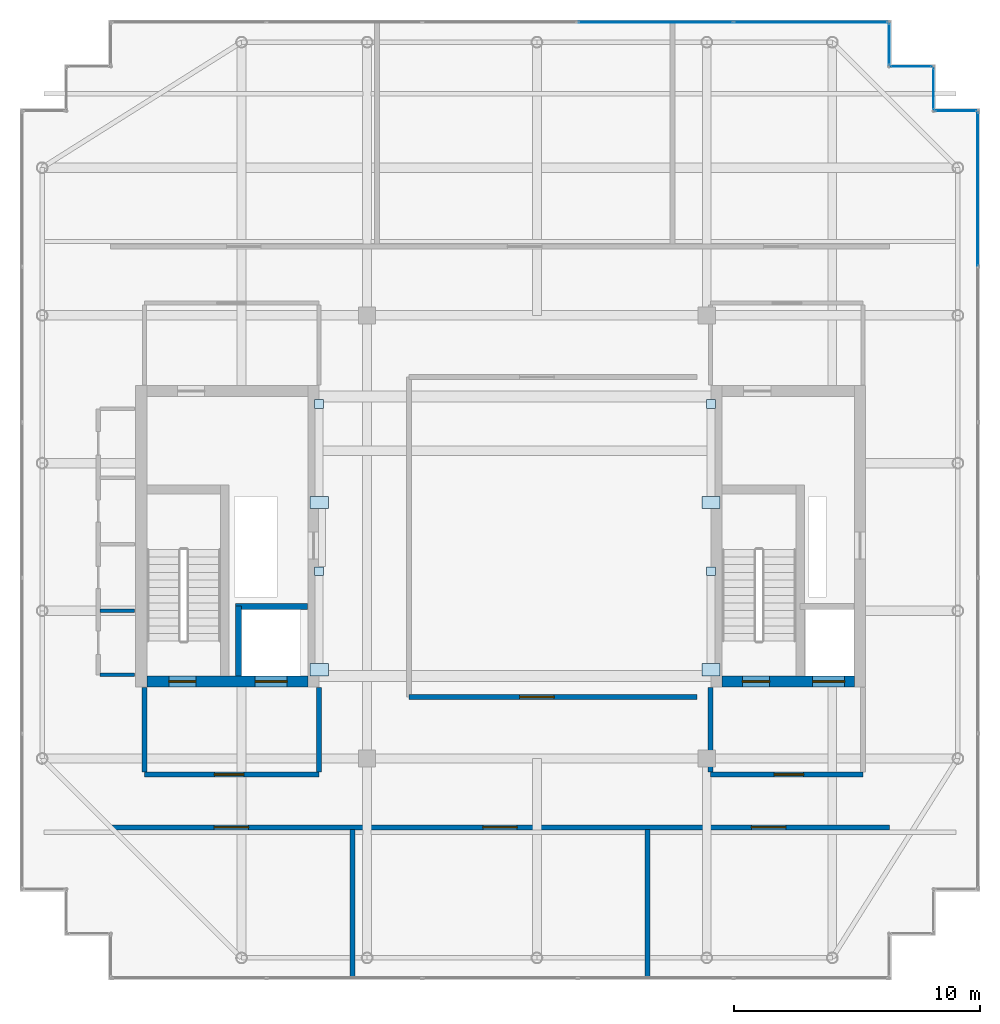
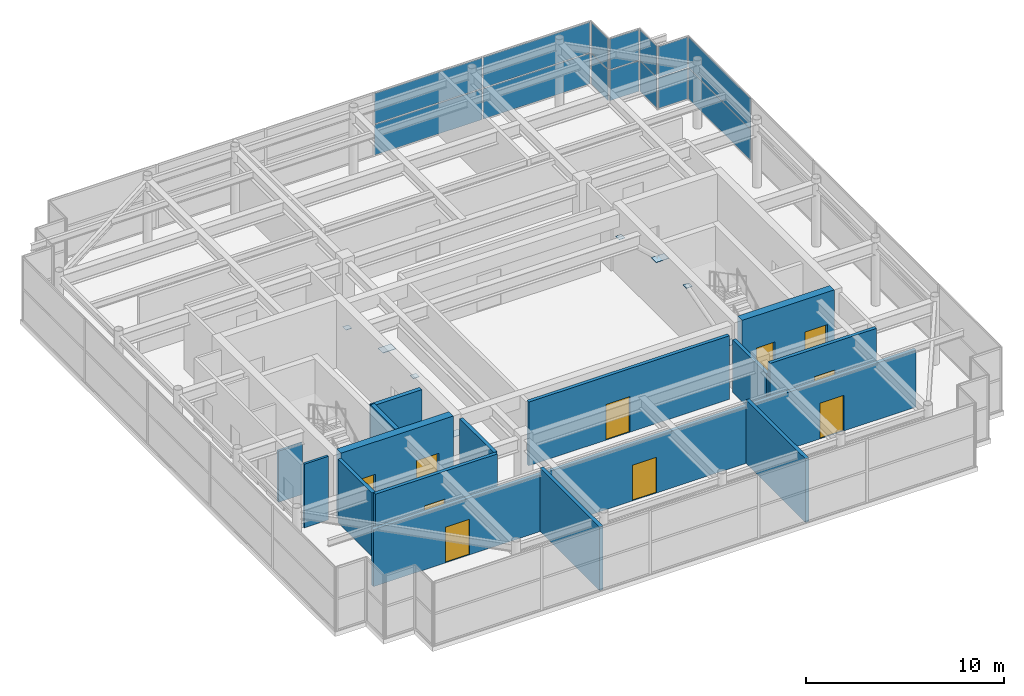
# One storey, part 30 of 33: 22 plates, 15 walls, 10 doors, 10 openings, 6 elements without a shape of their own.
"""IFC4 building model written with IfcOpenShell, lengths in metres."""

from ifc_helpers import new_model, si_unit, direction, frame, frame_2d, origin, origin_2d, place, context, subcontext, project, spatial, rectangle, extrude, source, transform, mapped, material, layer, layer_set, type_object, element, fill, aggregate, save


model = new_model("IFC4")

# Units and contexts
model_context = context("Model", 3, precision=1e-05, world=origin(), true_north=direction((0.0, 1.0)))
body_context = subcontext(model_context, "Body", "Model", "MODEL_VIEW")
ifc_project = project(units=[si_unit("LENGTHUNIT", "METRE"), si_unit("AREAUNIT", "SQUARE_METRE"), si_unit("VOLUMEUNIT", "CUBIC_METRE"), si_unit("PLANEANGLEUNIT", "RADIAN"), si_unit("MASSUNIT", "GRAM", prefix="KILO")], contexts=[model_context])

# Site, building, storey
site_placement = place(None, origin())
site = spatial("IfcSite", under=ifc_project, at=site_placement, CompositionType="ELEMENT")
building_placement = place(site_placement, origin())
building = spatial("IfcBuilding", under=site, at=building_placement, Name="Khoralis Quay Care Tower", CompositionType="ELEMENT")
storey_placement = place(building_placement, frame((0.0, 0.0, 302.10009765625)))
storey = spatial("IfcBuildingStorey", under=building, at=storey_placement, Name="L79", CompositionType="ELEMENT", Elevation=302.10009765625)

# Plates
ifc_material_1 = material(Name="Steel S355", Category="steel")
ifc_layer_1 = layer(ifc_material_1, 0.02001953125)
ifc_layer_set_1 = layer_set([ifc_layer_1], Name="Steel S355")
plate_type_1 = type_object("IfcPlateType", Name="PLT-CAP-350", PredefinedType="USERDEFINED", material=ifc_layer_set_1)
shared_shape_1 = source(origin(), body_context, "Body", "SweptSolid", [
    extrude(rectangle(XDim=0.35009765625, YDim=0.35009765625, at=origin_2d()), origin(), (0.0, 0.0, 1.0), 0.02001953125),
])
for number, where, z_axis, x_axis, name in (
    (1, (15.14794921875, 19.60009765625, 3.639892578125), (0.0, 0.0, 1.0), (1.0, 0.0, 0.0), "PLT-LNCP-L79-1"),
    (2, (15.14794921875, 26.39990234375, 2.510009765625), (0.0, 0.0, 1.0), (1.0, 0.0, 0.0), "PLT-LNCP-L79-2"),
    (3, (31.072021484375, 19.60009765625, 3.639892578125), (0.0, 0.0, 1.0), (1.0, 0.0, 0.0), "PLT-LNCP-L79-3"),
    (4, (31.072021484375, 26.39990234375, 2.510009765625), (0.0, 0.0, 1.0), (1.0, 0.0, 0.0), "PLT-LNCP-L79-4"),
):
    element("IfcPlate", number, at=place(storey_placement, frame(where, z_axis=z_axis, x_axis=x_axis)), inside=storey, type_object=plate_type_1, Name=name, ObjectType="BASE_PLATE", PredefinedType="USERDEFINED", context=body_context, shape_type="MappedRepresentation", body=[
        mapped(shared_shape_1, transform((0.0, 0.0, 0.0), scale=1.0)),
    ])
ifc_layer_2 = layer(ifc_material_1, 0.02490234375)
ifc_layer_set_2 = layer_set([ifc_layer_2], Name="Steel S355")
plate_type_2 = type_object("IfcPlateType", Name="PLT-NODE-LN1", PredefinedType="USERDEFINED", material=ifc_layer_set_2)
shared_shape_2 = source(origin(), body_context, "Body", "SweptSolid", [
    extrude(rectangle(XDim=0.75, YDim=0.5, at=origin_2d()), origin(), (0.0, 0.0, 1.0), 0.02490234375),
])
for number, where, z_axis, x_axis, name in (
    (5, (15.14794921875, 15.60009765625, 2.507568359375), (0.0, 0.0, 1.0), (1.0, 0.0, 0.0), "PLT-LN1-L79-1"),
    (6, (15.14794921875, 22.39990234375, 3.637451171875), (0.0, 0.0, 1.0), (1.0, 0.0, 0.0), "PLT-LN1-L79-2"),
    (7, (31.072021484375, 15.60009765625, 2.507568359375), (0.0, 0.0, 1.0), (1.0, 0.0, 0.0), "PLT-LN1-L79-3"),
    (8, (31.072021484375, 22.39990234375, 3.637451171875), (0.0, 0.0, 1.0), (1.0, 0.0, 0.0), "PLT-LN1-L79-4"),
):
    element("IfcPlate", number, at=place(storey_placement, frame(where, z_axis=z_axis, x_axis=x_axis)), inside=storey, type_object=plate_type_2, Name=name, ObjectType="GUSSET_PLATE", PredefinedType="USERDEFINED", context=body_context, shape_type="MappedRepresentation", body=[
        mapped(shared_shape_2, transform((0.0, 0.0, 0.0), scale=1.0)),
    ])

# Curtain wall, plates
ifc_material_2 = material(Name="Pale anodised aluminium", Category="aluminium")
ifc_layer_3 = layer(ifc_material_2, 0.199951171875)
ifc_layer_set_3 = layer_set([ifc_layer_3], Name="Pale anodised aluminium")
curtain_wall_type = type_object("IfcCurtainWallType", Name="CW-SYS-LANTERN", PredefinedType="NOTDEFINED", material=ifc_layer_set_3)
curtain_wall_1_placement = place(storey_placement, origin())
curtain_wall_1 = element("IfcCurtainWall", 9, at=curtain_wall_1_placement, inside=storey, type_object=curtain_wall_type, Name="L79 Unitised Curtain Wall CW-LN-L79-06", PredefinedType="NOTDEFINED")
ifc_material_3 = material(Name="Low-iron clear lantern glazing", Category="glass")
ifc_layer_4 = layer(ifc_material_3, 0.035888671875)
ifc_layer_set_4 = layer_set([ifc_layer_4], Name="Low-iron clear lantern glazing")
plate_type_3 = type_object("IfcPlateType", Name="PNL-LNT-36", PredefinedType="CURTAIN_PANEL", material=ifc_layer_set_4)
shared_shape_3 = source(origin(), body_context, "Body", "SweptSolid", [
    extrude(rectangle(XDim=6.23388671875, YDim=0.028076171875, at=origin_2d()), origin(), (0.0, 0.0, 1.0), 1.8701171875),
])
plate_1_placement = place(storey_placement, frame((41.909912109375, 35.133056640625, 0.059814453125), z_axis=(0.0, 0.0, 1.0), x_axis=(0.0, 1.0, 0.0)))
plate_1 = element("IfcPlate", 10, at=plate_1_placement, type_object=plate_type_3, Name="CW5 panel 5.1", PredefinedType="CURTAIN_PANEL", context=body_context, shape_type="MappedRepresentation", body=[
    mapped(shared_shape_3, transform((0.0, 0.0, 0.0), scale=1.0)),
])
plate_2_placement = place(storey_placement, frame((41.909912109375, 35.133056640625, 1.98974609375), z_axis=(0.0, 0.0, 1.0), x_axis=(0.0, 1.0, 0.0)))
plate_2 = element("IfcPlate", 11, at=plate_2_placement, type_object=plate_type_3, Name="CW5 panel 5.2", PredefinedType="CURTAIN_PANEL", context=body_context, shape_type="MappedRepresentation", body=[
    mapped(shared_shape_3, transform((0.0, 0.0, 0.0), scale=1.0)),
])
aggregate(curtain_wall_1, [plate_1, plate_2])

curtain_wall_2_placement = place(storey_placement, origin())
curtain_wall_2 = element("IfcCurtainWall", 12, at=curtain_wall_2_placement, inside=storey, type_object=curtain_wall_type, Name="L79 Unitised Curtain Wall CW-LN-L79-11", PredefinedType="NOTDEFINED")
plate_3_placement = place(storey_placement, frame((35.133056640625, 41.909912109375, 0.059814453125), z_axis=(0.0, 0.0, 1.0), x_axis=(-1.0, 0.0, 0.0)))
plate_3 = element("IfcPlate", 13, at=plate_3_placement, type_object=plate_type_3, Name="CW5 panel 1.1", PredefinedType="CURTAIN_PANEL", context=body_context, shape_type="MappedRepresentation", body=[
    mapped(shared_shape_3, transform((0.0, 0.0, 0.0), scale=1.0)),
])
plate_4_placement = place(storey_placement, frame((35.133056640625, 41.909912109375, 1.98974609375), z_axis=(0.0, 0.0, 1.0), x_axis=(-1.0, 0.0, 0.0)))
plate_4 = element("IfcPlate", 14, at=plate_4_placement, type_object=plate_type_3, Name="CW5 panel 1.2", PredefinedType="CURTAIN_PANEL", context=body_context, shape_type="MappedRepresentation", body=[
    mapped(shared_shape_3, transform((0.0, 0.0, 0.0), scale=1.0)),
])
shared_shape_4 = source(origin(), body_context, "Body", "SweptSolid", [
    extrude(rectangle(XDim=6.263916015625, YDim=0.028076171875, at=origin_2d()), origin(), (0.0, 0.0, 1.0), 1.8701171875),
])
plate_5_placement = place(storey_placement, frame((28.823974609375, 41.909912109375, 0.059814453125), z_axis=(0.0, 0.0, 1.0), x_axis=(-1.0, 0.0, 0.0)))
plate_5 = element("IfcPlate", 15, at=plate_5_placement, type_object=plate_type_3, Name="CW5 panel 2.1", PredefinedType="CURTAIN_PANEL", context=body_context, shape_type="MappedRepresentation", body=[
    mapped(shared_shape_4, transform((0.0, 0.0, 0.0), scale=1.0)),
])
plate_6_placement = place(storey_placement, frame((28.823974609375, 41.909912109375, 1.98974609375), z_axis=(0.0, 0.0, 1.0), x_axis=(-1.0, 0.0, 0.0)))
plate_6 = element("IfcPlate", 16, at=plate_6_placement, type_object=plate_type_3, Name="CW5 panel 2.2", PredefinedType="CURTAIN_PANEL", context=body_context, shape_type="MappedRepresentation", body=[
    mapped(shared_shape_4, transform((0.0, 0.0, 0.0), scale=1.0)),
])
aggregate(curtain_wall_2, [plate_3, plate_4, plate_5, plate_6])

curtain_wall_3_placement = place(storey_placement, origin())
curtain_wall_3 = element("IfcCurtainWall", 17, at=curtain_wall_3_placement, inside=storey, type_object=curtain_wall_type, Name="L79 Unitised Curtain Wall CW-LN-L79-07", PredefinedType="NOTDEFINED")
shared_shape_5 = source(origin(), body_context, "Body", "SweptSolid", [
    extrude(rectangle(XDim=1.679931640625, YDim=0.028076171875, at=origin_2d()), origin(), (0.0, 0.0, 1.0), 1.8701171875),
])
plate_7_placement = place(storey_placement, frame((41.010009765625, 38.31005859375, 0.059814453125), z_axis=(0.0, 0.0, 1.0), x_axis=(-1.0, 0.0, 0.0)))
plate_7 = element("IfcPlate", 18, at=plate_7_placement, type_object=plate_type_3, Name="CW5 panel 1.1", PredefinedType="CURTAIN_PANEL", context=body_context, shape_type="MappedRepresentation", body=[
    mapped(shared_shape_5, transform((0.0, 0.0, 0.0), scale=1.0)),
])
plate_8_placement = place(storey_placement, frame((41.010009765625, 38.31005859375, 1.98974609375), z_axis=(0.0, 0.0, 1.0), x_axis=(-1.0, 0.0, 0.0)))
plate_8 = element("IfcPlate", 19, at=plate_8_placement, type_object=plate_type_3, Name="CW5 panel 1.2", PredefinedType="CURTAIN_PANEL", context=body_context, shape_type="MappedRepresentation", body=[
    mapped(shared_shape_5, transform((0.0, 0.0, 0.0), scale=1.0)),
])
aggregate(curtain_wall_3, [plate_7, plate_8])

curtain_wall_4_placement = place(storey_placement, origin())
curtain_wall_4 = element("IfcCurtainWall", 20, at=curtain_wall_4_placement, inside=storey, type_object=curtain_wall_type, Name="L79 Unitised Curtain Wall CW-LN-L79-08", PredefinedType="NOTDEFINED")
plate_9_placement = place(storey_placement, frame((40.110107421875, 39.2099609375, 0.059814453125), z_axis=(0.0, 0.0, 1.0), x_axis=(0.0, 1.0, 0.0)))
plate_9 = element("IfcPlate", 21, at=plate_9_placement, type_object=plate_type_3, Name="CW5 panel 1.1", PredefinedType="CURTAIN_PANEL", context=body_context, shape_type="MappedRepresentation", body=[
    mapped(shared_shape_5, transform((0.0, 0.0, 0.0), scale=1.0)),
])
plate_10_placement = place(storey_placement, frame((40.110107421875, 39.2099609375, 1.98974609375), z_axis=(0.0, 0.0, 1.0), x_axis=(0.0, 1.0, 0.0)))
plate_10 = element("IfcPlate", 22, at=plate_10_placement, type_object=plate_type_3, Name="CW5 panel 1.2", PredefinedType="CURTAIN_PANEL", context=body_context, shape_type="MappedRepresentation", body=[
    mapped(shared_shape_5, transform((0.0, 0.0, 0.0), scale=1.0)),
])
aggregate(curtain_wall_4, [plate_9, plate_10])

curtain_wall_5_placement = place(storey_placement, origin())
curtain_wall_5 = element("IfcCurtainWall", 23, at=curtain_wall_5_placement, inside=storey, type_object=curtain_wall_type, Name="L79 Unitised Curtain Wall CW-LN-L79-09", PredefinedType="NOTDEFINED")
plate_11_placement = place(storey_placement, frame((39.2099609375, 40.110107421875, 0.059814453125), z_axis=(0.0, 0.0, 1.0), x_axis=(-1.0, 0.0, 0.0)))
plate_11 = element("IfcPlate", 24, at=plate_11_placement, type_object=plate_type_3, Name="CW5 panel 1.1", PredefinedType="CURTAIN_PANEL", context=body_context, shape_type="MappedRepresentation", body=[
    mapped(shared_shape_5, transform((0.0, 0.0, 0.0), scale=1.0)),
])
plate_12_placement = place(storey_placement, frame((39.2099609375, 40.110107421875, 1.98974609375), z_axis=(0.0, 0.0, 1.0), x_axis=(-1.0, 0.0, 0.0)))
plate_12 = element("IfcPlate", 25, at=plate_12_placement, type_object=plate_type_3, Name="CW5 panel 1.2", PredefinedType="CURTAIN_PANEL", context=body_context, shape_type="MappedRepresentation", body=[
    mapped(shared_shape_5, transform((0.0, 0.0, 0.0), scale=1.0)),
])
aggregate(curtain_wall_5, [plate_11, plate_12])

curtain_wall_6_placement = place(storey_placement, origin())
curtain_wall_6 = element("IfcCurtainWall", 26, at=curtain_wall_6_placement, inside=storey, type_object=curtain_wall_type, Name="L79 Unitised Curtain Wall CW-LN-L79-10", PredefinedType="NOTDEFINED")
plate_13_placement = place(storey_placement, frame((38.31005859375, 41.010009765625, 0.059814453125), z_axis=(0.0, 0.0, 1.0), x_axis=(0.0, 1.0, 0.0)))
plate_13 = element("IfcPlate", 27, at=plate_13_placement, type_object=plate_type_3, Name="CW5 panel 1.1", PredefinedType="CURTAIN_PANEL", context=body_context, shape_type="MappedRepresentation", body=[
    mapped(shared_shape_5, transform((0.0, 0.0, 0.0), scale=1.0)),
])
plate_14_placement = place(storey_placement, frame((38.31005859375, 41.010009765625, 1.98974609375), z_axis=(0.0, 0.0, 1.0), x_axis=(0.0, 1.0, 0.0)))
plate_14 = element("IfcPlate", 28, at=plate_14_placement, type_object=plate_type_3, Name="CW5 panel 1.2", PredefinedType="CURTAIN_PANEL", context=body_context, shape_type="MappedRepresentation", body=[
    mapped(shared_shape_5, transform((0.0, 0.0, 0.0), scale=1.0)),
])
aggregate(curtain_wall_6, [plate_13, plate_14])

# Wall, opening, door
ifc_material_4 = material(Name="Gypsum plasterboard on acoustic metal stud")
ifc_layer_5 = layer(ifc_material_4, 0.199951171875)
ifc_layer_set_5 = layer_set([ifc_layer_5], Name="Gypsum plasterboard on acoustic metal stud")
wall_type_1 = type_object("IfcWallType", Name="WL-COMP-200", PredefinedType="PARTITIONING", material=ifc_layer_set_5)
wall_1_placement = place(storey_placement, frame((8.050048828125, 11.35009765625, 0.0), z_axis=(0.0, 0.0, 1.0), x_axis=(1.0, 0.0, 0.0)))
wall_1 = element("IfcWall", 29, at=wall_1_placement, inside=storey, type_object=wall_type_1, Name="L79 West Firefighting Lobby South Wall", PredefinedType="PARTITIONING", context=body_context, shape_type="SweptSolid", body=[
    extrude(rectangle(XDim=7.099853515625, YDim=0.199951171875, at=frame_2d((3.5498046875, 0.0))), origin(), (0.0, 0.0, 1.0), 3.919921875),
])
opening_1_placement = place(wall_1_placement, frame((2.846435546875, 0.0, 0.0)))
opening_1 = element("IfcOpeningElement", 30, at=opening_1_placement, cuts=wall_1, Name="Opening FD1", PredefinedType="OPENING", context=body_context, shape_type="SweptSolid", body=[
    extrude(rectangle(XDim=1.199951171875, YDim=2.199951171875, at=frame_2d((0.60009765625, 1.10009765625))), frame((0.0, 0.10986328125, 0.0), z_axis=(0.0, -1.0, 0.0), x_axis=(1.0, 0.0, 0.0)), (0.0, 0.0, 1.0), 0.219970703125),
])
ifc_material_5 = material(Name="Fire-rated painted steel", Category="steel")
door_type_1 = type_object("IfcDoorType", Name="DR-FFL-1200X2200", OperationType="NOTDEFINED", PredefinedType="DOOR", material=ifc_material_5)
shared_shape_6 = source(origin(), body_context, "Body", "SweptSolid", [
    extrude(rectangle(XDim=1.199951171875, YDim=2.199951171875, at=frame_2d((0.60009765625, 1.10009765625))), frame((0.0, 0.02490234375, 0.0), z_axis=(0.0, -1.0, 0.0), x_axis=(1.0, 0.0, 0.0)), (0.0, 0.0, 1.0), 0.050048828125),
])
door_1_placement = place(opening_1_placement, origin())
door_1 = element("IfcDoor", 31, at=door_1_placement, inside=storey, type_object=door_type_1, Name="L79 West Firefighting Lobby Fire Door", OperationType="SINGLE_SWING_LEFT", OverallHeight=2.199951171875, OverallWidth=1.199951171875, PredefinedType="DOOR", context=body_context, shape_type="MappedRepresentation", body=[
    mapped(shared_shape_6, transform((0.0, 0.0, 0.0), scale=1.0)),
])
fill(opening_1, door_1)

# Walls
for number, where, z_axis, x_axis, name in (
    (32, (8.050048828125, 11.445068359375, 0.0), (0.0, 0.0, 1.0), (0.0, 1.0, 0.0), "L79 West Firefighting Lobby West Wall"),
    (33, (15.14990234375, 11.445068359375, 0.0), (0.0, 0.0, 1.0), (0.0, 1.0, 0.0), "L79 West Firefighting Lobby East Wall"),
):
    element("IfcWall", number, at=place(storey_placement, frame(where, z_axis=z_axis, x_axis=x_axis)), inside=storey, type_object=wall_type_1, Name=name, PredefinedType="PARTITIONING", context=body_context, shape_type="SweptSolid", body=[
        extrude(rectangle(XDim=3.434814453125, YDim=0.199951171875, at=frame_2d((1.71728515625, 0.0))), origin(), (0.0, 0.0, 1.0), 3.919921875),
    ])

# Wall, opening, door
wall_2_placement = place(storey_placement, frame((31.050048828125, 11.35009765625, 0.0), z_axis=(0.0, 0.0, 1.0), x_axis=(1.0, 0.0, 0.0)))
wall_2 = element("IfcWall", 34, at=wall_2_placement, inside=storey, type_object=wall_type_1, Name="L79 East Firefighting Lobby South Wall", PredefinedType="PARTITIONING", context=body_context, shape_type="SweptSolid", body=[
    extrude(rectangle(XDim=6.199951171875, YDim=0.199951171875, at=frame_2d((3.10009765625, 0.0))), origin(), (0.0, 0.0, 1.0), 3.919921875),
])
opening_2_placement = place(wall_2_placement, frame((2.585693359375, 0.0, 0.0)))
opening_2 = element("IfcOpeningElement", 35, at=opening_2_placement, cuts=wall_2, Name="Opening FD1", PredefinedType="OPENING", context=body_context, shape_type="SweptSolid", body=[
    extrude(rectangle(XDim=1.199951171875, YDim=2.199951171875, at=frame_2d((0.60009765625, 1.10009765625))), frame((0.0, 0.10986328125, 0.0), z_axis=(0.0, -1.0, 0.0), x_axis=(1.0, 0.0, 0.0)), (0.0, 0.0, 1.0), 0.219970703125),
])
door_2_placement = place(opening_2_placement, origin())
door_2 = element("IfcDoor", 36, at=door_2_placement, inside=storey, type_object=door_type_1, Name="L79 East Firefighting Lobby Fire Door", OperationType="SINGLE_SWING_RIGHT", OverallHeight=2.199951171875, OverallWidth=1.199951171875, PredefinedType="DOOR", context=body_context, shape_type="MappedRepresentation", body=[
    mapped(shared_shape_6, transform((0.0, 0.0, 0.0), scale=1.0)),
])
fill(opening_2, door_2)

# Wall
wall_3_placement = place(storey_placement, frame((31.050048828125, 11.445068359375, 0.0), z_axis=(0.0, 0.0, 1.0), x_axis=(0.0, 1.0, 0.0)))
element("IfcWall", 37, at=wall_3_placement, inside=storey, type_object=wall_type_1, Name="L79 East Firefighting Lobby West Wall", PredefinedType="PARTITIONING", context=body_context, shape_type="SweptSolid", body=[
    extrude(rectangle(XDim=3.434814453125, YDim=0.199951171875, at=frame_2d((1.71728515625, 0.0))), origin(), (0.0, 0.0, 1.0), 3.224853515625),
])

# Wall, openings, doors
wall_4_placement = place(storey_placement, frame((6.679931640625, 9.199951171875, 0.0), z_axis=(0.0, 0.0, 1.0), x_axis=(1.0, 0.0, 0.0)))
wall_4 = element("IfcWall", 38, at=wall_4_placement, inside=storey, type_object=wall_type_1, Name="L79 Plant Corridor South Wall", PredefinedType="PARTITIONING", context=body_context, shape_type="SweptSolid", body=[
    extrude(rectangle(XDim=31.64013671875, YDim=0.199951171875, at=frame_2d((15.820068359375, 0.0))), origin(), (0.0, 0.0, 1.0), 3.512939453125),
])
opening_3_placement = place(wall_4_placement, frame((4.2099609375, 0.0, 0.0)))
opening_3 = element("IfcOpeningElement", 39, at=opening_3_placement, cuts=wall_4, Name="Opening PD1", PredefinedType="OPENING", context=body_context, shape_type="SweptSolid", body=[
    extrude(rectangle(XDim=1.39990234375, YDim=2.199951171875, at=frame_2d((0.699951171875, 1.10009765625))), frame((0.0, 0.10986328125, 0.0), z_axis=(0.0, -1.0, 0.0), x_axis=(1.0, 0.0, 0.0)), (0.0, 0.0, 1.0), 0.219970703125),
])
opening_4_placement = place(wall_4_placement, frame((15.1201171875, 0.0, 0.0)))
opening_4 = element("IfcOpeningElement", 40, at=opening_4_placement, cuts=wall_4, Name="Opening PD1", PredefinedType="OPENING", context=body_context, shape_type="SweptSolid", body=[
    extrude(rectangle(XDim=1.39990234375, YDim=2.199951171875, at=frame_2d((0.699951171875, 1.10009765625))), frame((0.0, 0.10986328125, 0.0), z_axis=(0.0, -1.0, 0.0), x_axis=(1.0, 0.0, 0.0)), (0.0, 0.0, 1.0), 0.219970703125),
])
opening_5_placement = place(wall_4_placement, frame((26.030029296875, 0.0, 0.0)))
opening_5 = element("IfcOpeningElement", 41, at=opening_5_placement, cuts=wall_4, Name="Opening PD1", PredefinedType="OPENING", context=body_context, shape_type="SweptSolid", body=[
    extrude(rectangle(XDim=1.39990234375, YDim=2.199951171875, at=frame_2d((0.699951171875, 1.10009765625))), frame((0.0, 0.10986328125, 0.0), z_axis=(0.0, -1.0, 0.0), x_axis=(1.0, 0.0, 0.0)), (0.0, 0.0, 1.0), 0.219970703125),
])
door_type_2 = type_object("IfcDoorType", Name="DR-PLANT-1400X2200", OperationType="NOTDEFINED", PredefinedType="DOOR", material=ifc_material_5)
shared_shape_7 = source(origin(), body_context, "Body", "SweptSolid", [
    extrude(rectangle(XDim=1.39990234375, YDim=2.199951171875, at=frame_2d((0.699951171875, 1.10009765625))), frame((0.0, 0.02490234375, 0.0), z_axis=(0.0, -1.0, 0.0), x_axis=(1.0, 0.0, 0.0)), (0.0, 0.0, 1.0), 0.050048828125),
])
door_3_placement = place(opening_3_placement, frame((1.39990234375, 0.0, 0.0), z_axis=(0.0, 0.0, 1.0), x_axis=(-1.0, 0.0, 0.0)))
door_3 = element("IfcDoor", 42, at=door_3_placement, inside=storey, type_object=door_type_2, Name="L79 District Chiller Plant Room Plant Door", OperationType="DOUBLE_DOOR_SINGLE_SWING", OverallHeight=2.199951171875, OverallWidth=1.39990234375, PredefinedType="DOOR", context=body_context, shape_type="MappedRepresentation", body=[
    mapped(shared_shape_7, transform((0.0, 0.0, 0.0), scale=1.0)),
])
fill(opening_3, door_3)
door_4_placement = place(opening_4_placement, frame((1.39990234375, 0.0, 0.0), z_axis=(0.0, 0.0, 1.0), x_axis=(-1.0, 0.0, 0.0)))
door_4 = element("IfcDoor", 43, at=door_4_placement, inside=storey, type_object=door_type_2, Name="L79 Heat Recovery Plant Room Plant Door", OperationType="DOUBLE_DOOR_SINGLE_SWING", OverallHeight=2.199951171875, OverallWidth=1.39990234375, PredefinedType="DOOR", context=body_context, shape_type="MappedRepresentation", body=[
    mapped(shared_shape_7, transform((0.0, 0.0, 0.0), scale=1.0)),
])
fill(opening_4, door_4)
door_5_placement = place(opening_5_placement, frame((1.39990234375, 0.0, 0.0), z_axis=(0.0, 0.0, 1.0), x_axis=(-1.0, 0.0, 0.0)))
door_5 = element("IfcDoor", 44, at=door_5_placement, inside=storey, type_object=door_type_2, Name="L79 Domestic Water Tank Room Plant Door", OperationType="DOUBLE_DOOR_SINGLE_SWING", OverallHeight=2.199951171875, OverallWidth=1.39990234375, PredefinedType="DOOR", context=body_context, shape_type="MappedRepresentation", body=[
    mapped(shared_shape_7, transform((0.0, 0.0, 0.0), scale=1.0)),
])
fill(opening_5, door_5)

# Wall, opening, door
wall_5_placement = place(storey_placement, frame((18.800048828125, 14.5, 0.0), z_axis=(0.0, 0.0, 1.0), x_axis=(1.0, 0.0, 0.0)))
wall_5 = element("IfcWall", 45, at=wall_5_placement, inside=storey, type_object=wall_type_1, Name="L79 Central Plant South Wall", PredefinedType="PARTITIONING", context=body_context, shape_type="SweptSolid", body=[
    extrude(rectangle(XDim=11.699951171875, YDim=0.199951171875, at=frame_2d((5.85009765625, 0.0))), origin(), (0.0, 0.0, 1.0), 3.919921875),
])
opening_6_placement = place(wall_5_placement, frame((4.5, 0.0, 0.0)))
opening_6 = element("IfcOpeningElement", 46, at=opening_6_placement, cuts=wall_5, Name="Opening PD1", PredefinedType="OPENING", context=body_context, shape_type="SweptSolid", body=[
    extrude(rectangle(XDim=1.39990234375, YDim=2.199951171875, at=frame_2d((0.699951171875, 1.10009765625))), frame((0.0, 0.10986328125, 0.0), z_axis=(0.0, -1.0, 0.0), x_axis=(1.0, 0.0, 0.0)), (0.0, 0.0, 1.0), 0.219970703125),
])
door_6_placement = place(opening_6_placement, origin())
door_6 = element("IfcDoor", 47, at=door_6_placement, inside=storey, type_object=door_type_2, Name="L79 Central Plant South Door", OperationType="DOUBLE_DOOR_SINGLE_SWING", OverallHeight=2.199951171875, OverallWidth=1.39990234375, PredefinedType="DOOR", context=body_context, shape_type="MappedRepresentation", body=[
    mapped(shared_shape_7, transform((0.0, 0.0, 0.0), scale=1.0)),
])
fill(opening_6, door_6)

# Walls
for number, where, z_axis, x_axis, name in (
    (48, (16.5, 3.0849609375, 0.0), (0.0, 0.0, 1.0), (0.0, 1.0, 0.0), "L79 South Plant Divider 1"),
    (49, (28.5, 3.0849609375, 0.0), (0.0, 0.0, 1.0), (0.0, 1.0, 0.0), "L79 South Plant Divider 2"),
):
    element("IfcWall", number, at=place(storey_placement, frame(where, z_axis=z_axis, x_axis=x_axis)), inside=storey, type_object=wall_type_1, Name=name, PredefinedType="PARTITIONING", context=body_context, shape_type="SweptSolid", body=[
        extrude(rectangle(XDim=6.02001953125, YDim=0.199951171875, at=frame_2d((3.010009765625, 0.0))), origin(), (0.0, 0.0, 1.0), 3.919921875),
    ])

# Wall, openings, doors
ifc_material_6 = material(Name="Concrete C50/60", Category="concrete")
ifc_layer_6 = layer(ifc_material_6, 0.449951171875)
ifc_layer_set_6 = layer_set([ifc_layer_6], Name="Concrete C50/60")
wall_type_2 = type_object("IfcWallType", Name="WL-CORE-450", PredefinedType="SHEAR", material=ifc_layer_set_6)
wall_6_placement = place(storey_placement, frame((8.14990234375, 15.125, 0.0), z_axis=(0.0, 0.0, 1.0), x_axis=(1.0, 0.0, 0.0)))
wall_6 = element("IfcWall", 50, at=wall_6_placement, inside=storey, type_object=wall_type_2, Name="L79 WCORE South Shear Wall", PredefinedType="SHEAR", context=body_context, shape_type="SweptSolid", body=[
    extrude(rectangle(XDim=6.550048828125, YDim=0.449951171875, at=frame_2d((3.27490234375, 0.0))), origin(), (0.0, 0.0, 1.0), 4.199951171875),
])
opening_7_placement = place(wall_6_placement, frame((0.89990234375, 0.0, 0.0)))
opening_7 = element("IfcOpeningElement", 51, at=opening_7_placement, cuts=wall_6, Name="Opening SD1", PredefinedType="OPENING", context=body_context, shape_type="SweptSolid", body=[
    extrude(rectangle(XDim=1.10009765625, YDim=2.199951171875, at=frame_2d((0.550048828125, 1.10009765625))), frame((0.0, 0.23486328125, 0.0), z_axis=(0.0, -1.0, 0.0), x_axis=(1.0, 0.0, 0.0)), (0.0, 0.0, 1.0), 0.469970703125),
])
opening_8_placement = place(wall_6_placement, frame((4.39990234375, 0.0, 0.0)))
opening_8 = element("IfcOpeningElement", 52, at=opening_8_placement, cuts=wall_6, Name="Opening LD2", PredefinedType="OPENING", context=body_context, shape_type="SweptSolid", body=[
    extrude(rectangle(XDim=1.300048828125, YDim=2.199951171875, at=frame_2d((0.64990234375, 1.10009765625))), frame((0.0, 0.23486328125, 0.0), z_axis=(0.0, -1.0, 0.0), x_axis=(1.0, 0.0, 0.0)), (0.0, 0.0, 1.0), 0.469970703125),
])
door_type_3 = type_object("IfcDoorType", Name="DR-STAIR-1100X2200", OperationType="NOTDEFINED", PredefinedType="DOOR", material=ifc_material_5)
shared_shape_8 = source(origin(), body_context, "Body", "SweptSolid", [
    extrude(rectangle(XDim=1.10009765625, YDim=2.199951171875, at=frame_2d((0.550048828125, 1.10009765625))), frame((0.0, 0.02490234375, 0.0), z_axis=(0.0, -1.0, 0.0), x_axis=(1.0, 0.0, 0.0)), (0.0, 0.0, 1.0), 0.050048828125),
])
door_7_placement = place(opening_7_placement, origin())
door_7 = element("IfcDoor", 53, at=door_7_placement, inside=storey, type_object=door_type_3, Name="L79 Stair ST-T1 Fire Door", OperationType="SINGLE_SWING_LEFT", OverallHeight=2.199951171875, OverallWidth=1.10009765625, PredefinedType="DOOR", context=body_context, shape_type="MappedRepresentation", body=[
    mapped(shared_shape_8, transform((0.0, 0.0, 0.0), scale=1.0)),
])
fill(opening_7, door_7)
ifc_material_7 = material(Name="Brushed stainless steel", Category="steel")
door_type_4 = type_object("IfcDoorType", Name="DR-LIFT-1300X2200", OperationType="SLIDING_TO_RIGHT", PredefinedType="DOOR", material=ifc_material_7)
shared_shape_9 = source(origin(), body_context, "Body", "SweptSolid", [
    extrude(rectangle(XDim=1.300048828125, YDim=2.199951171875, at=frame_2d((0.64990234375, 1.10009765625))), frame((0.0, 0.02490234375, 0.0), z_axis=(0.0, -1.0, 0.0), x_axis=(1.0, 0.0, 0.0)), (0.0, 0.0, 1.0), 0.050048828125),
])
door_8_placement = place(opening_8_placement, origin())
door_8 = element("IfcDoor", 54, at=door_8_placement, inside=storey, type_object=door_type_4, Name="L79 Firefighting Lift FFL-1 Landing Door", OperationType="SLIDING_TO_RIGHT", OverallHeight=2.199951171875, OverallWidth=1.300048828125, PredefinedType="DOOR", context=body_context, shape_type="MappedRepresentation", body=[
    mapped(shared_shape_9, transform((0.0, 0.0, 0.0), scale=1.0)),
])
fill(opening_8, door_8)

wall_7_placement = place(storey_placement, frame((31.52001953125, 15.125, 0.0), z_axis=(0.0, 0.0, 1.0), x_axis=(1.0, 0.0, 0.0)))
wall_7 = element("IfcWall", 55, at=wall_7_placement, inside=storey, type_object=wall_type_2, Name="L79 ECORE South Shear Wall", PredefinedType="SHEAR", context=body_context, shape_type="SweptSolid", body=[
    extrude(rectangle(XDim=5.3798828125, YDim=0.449951171875, at=frame_2d((2.68994140625, 0.0))), origin(), (0.0, 0.0, 1.0), 4.199951171875),
])
opening_9_placement = place(wall_7_placement, frame((0.830078125, 0.0, 0.0)))
opening_9 = element("IfcOpeningElement", 56, at=opening_9_placement, cuts=wall_7, Name="Opening SD1", PredefinedType="OPENING", context=body_context, shape_type="SweptSolid", body=[
    extrude(rectangle(XDim=1.10009765625, YDim=2.199951171875, at=frame_2d((0.550048828125, 1.10009765625))), frame((0.0, 0.23486328125, 0.0), z_axis=(0.0, -1.0, 0.0), x_axis=(1.0, 0.0, 0.0)), (0.0, 0.0, 1.0), 0.469970703125),
])
opening_10_placement = place(wall_7_placement, frame((3.679931640625, 0.0, 0.0)))
opening_10 = element("IfcOpeningElement", 57, at=opening_10_placement, cuts=wall_7, Name="Opening LD2", PredefinedType="OPENING", context=body_context, shape_type="SweptSolid", body=[
    extrude(rectangle(XDim=1.300048828125, YDim=2.199951171875, at=frame_2d((0.64990234375, 1.10009765625))), frame((0.0, 0.23486328125, 0.0), z_axis=(0.0, -1.0, 0.0), x_axis=(1.0, 0.0, 0.0)), (0.0, 0.0, 1.0), 0.469970703125),
])
door_9_placement = place(opening_9_placement, origin())
door_9 = element("IfcDoor", 58, at=door_9_placement, inside=storey, type_object=door_type_3, Name="L79 Stair ST-T2 Fire Door", OperationType="SINGLE_SWING_RIGHT", OverallHeight=2.199951171875, OverallWidth=1.10009765625, PredefinedType="DOOR", context=body_context, shape_type="MappedRepresentation", body=[
    mapped(shared_shape_8, transform((0.0, 0.0, 0.0), scale=1.0)),
])
fill(opening_9, door_9)
door_10_placement = place(opening_10_placement, origin())
door_10 = element("IfcDoor", 59, at=door_10_placement, inside=storey, type_object=door_type_4, Name="L79 Firefighting Lift FFL-2 Landing Door", OperationType="SLIDING_TO_RIGHT", OverallHeight=2.199951171875, OverallWidth=1.300048828125, PredefinedType="DOOR", context=body_context, shape_type="MappedRepresentation", body=[
    mapped(shared_shape_9, transform((0.0, 0.0, 0.0), scale=1.0)),
])
fill(opening_10, door_10)

# Walls
ifc_material_8 = material(Name="Moisture-resistant gypsum and ceramic tile")
ifc_layer_7 = layer(ifc_material_8, 0.280029296875)
ifc_layer_set_7 = layer_set([ifc_layer_7], Name="Moisture-resistant gypsum and ceramic tile")
wall_type_3 = type_object("IfcWallType", Name="WL-PLUMB-280", PredefinedType="PLUMBINGWALL", material=ifc_layer_set_7)
wall_8_placement = place(storey_placement, frame((6.257568359375, 18.0, 0.0), z_axis=(0.0, 0.0, 1.0), x_axis=(1.0, 0.0, 0.0)))
element("IfcWall", 60, at=wall_8_placement, inside=storey, type_object=wall_type_3, Name="L79 West Flank Divider 1", PredefinedType="PLUMBINGWALL", context=body_context, shape_type="SweptSolid", body=[
    extrude(rectangle(XDim=1.40234375, YDim=0.139892578125, at=frame_2d((0.701171875, 0.0))), origin(), (0.0, 0.0, 1.0), 3.14697265625),
])
ifc_layer_8 = layer(ifc_material_4, 0.239990234375)
ifc_layer_set_8 = layer_set([ifc_layer_8], Name="Gypsum plasterboard on acoustic metal stud")
wall_type_4 = type_object("IfcWallType", Name="WL-SHAFT-240", PredefinedType="PARTITIONING", material=ifc_layer_set_8)
wall_9_placement = place(storey_placement, frame((11.8798828125, 15.35009765625, 0.0), z_axis=(0.0, 0.0, 1.0), x_axis=(0.0, 1.0, 0.0)))
element("IfcWall", 61, at=wall_9_placement, inside=storey, type_object=wall_type_4, Name="L79 FFL-1 Shaft Wall West", PredefinedType="PARTITIONING", context=body_context, shape_type="SweptSolid", body=[
    extrude(rectangle(XDim=2.849853515625, YDim=0.239990234375, at=frame_2d((1.4248046875, 0.0))), origin(), (0.0, 0.0, 1.0), 3.919921875),
])
wall_10_placement = place(storey_placement, frame((11.760009765625, 18.169921875, 0.0), z_axis=(0.0, 0.0, 1.0), x_axis=(1.0, 0.0, 0.0)))
element("IfcWall", 62, at=wall_10_placement, inside=storey, type_object=wall_type_4, Name="L79 FFL-1 Shaft Wall North", PredefinedType="PARTITIONING", context=body_context, shape_type="SweptSolid", body=[
    extrude(rectangle(XDim=2.919921875, YDim=0.239990234375, at=frame_2d((1.4599609375, 0.0))), origin(), (0.0, 0.0, 1.0), 3.919921875),
])
ifc_layer_9 = layer(ifc_material_4, 0.139892578125)
ifc_layer_set_9 = layer_set([ifc_layer_9], Name="Gypsum plasterboard on acoustic metal stud")
wall_type_5 = type_object("IfcWallType", Name="WL-UNIT-140", PredefinedType="PARTITIONING", material=ifc_layer_set_9)
wall_11_placement = place(storey_placement, frame((6.257568359375, 15.39990234375, 0.0), z_axis=(0.0, 0.0, 1.0), x_axis=(1.0, 0.0, 0.0)))
element("IfcWall", 63, at=wall_11_placement, inside=storey, type_object=wall_type_5, Name="L79 West Flank South Cap", PredefinedType="PARTITIONING", context=body_context, shape_type="SweptSolid", body=[
    extrude(rectangle(XDim=1.40234375, YDim=0.139892578125, at=frame_2d((0.701171875, 0.0))), origin(), (0.0, 0.0, 1.0), 3.919921875),
])

save(model, "model.ifc")
